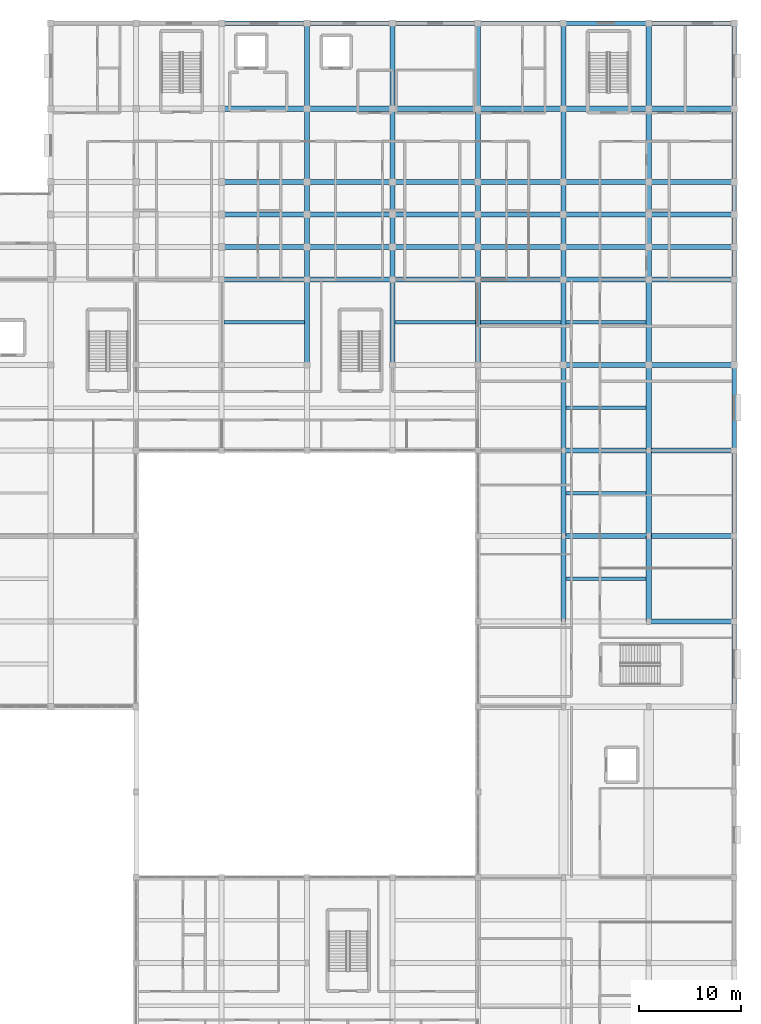
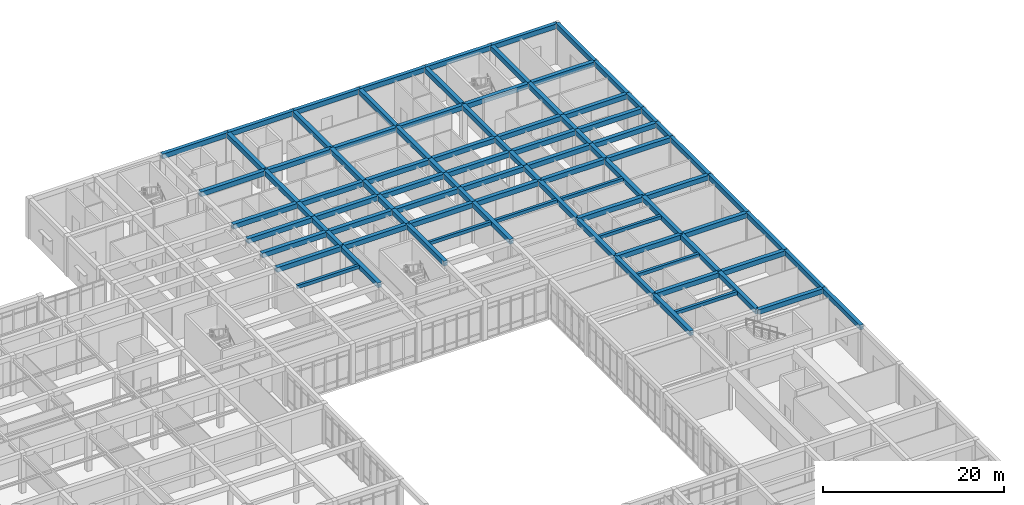
# One storey, part 38 of 89: 96 beams.
"""IFC4 building model written with IfcOpenShell, lengths in metres."""

from ifc_helpers import new_model, si_unit, direction, frame, origin, origin_2d, place, context, subcontext, project, spatial, rectangle, extrude, material, material_profile, profile_set, type_object, element, save


model = new_model("IFC4")

# Units and contexts
model_context = context("Model", 3, precision=1e-05, world=origin(), true_north=direction((0.0, 1.0)))
body_context = subcontext(model_context, "Body", "Model", "MODEL_VIEW")
ifc_project = project(units=[si_unit("LENGTHUNIT", "METRE"), si_unit("AREAUNIT", "SQUARE_METRE"), si_unit("VOLUMEUNIT", "CUBIC_METRE"), si_unit("PLANEANGLEUNIT", "RADIAN"), si_unit("MASSUNIT", "GRAM", prefix="KILO")], contexts=[model_context])

# Site, building, storey
site_placement = place(None, origin())
site = spatial("IfcSite", under=ifc_project, at=site_placement, CompositionType="ELEMENT")
building_placement = place(site_placement, origin())
building = spatial("IfcBuilding", under=site, at=building_placement, Name="Varncliffe General Hospital", CompositionType="ELEMENT")
storey_placement = place(building_placement, frame((0.0, 0.0, 10.800048828125)))
storey = spatial("IfcBuildingStorey", under=building, at=storey_placement, Name="L02", CompositionType="ELEMENT", Elevation=10.800048828125)

# Beams
ifc_material = material(Name="Concrete C35/45 (CSA A23.1 35 MPa)", Category="concrete")
ifc_material_profile_1 = material_profile(ifc_material, rectangle(XDim=0.5, YDim=0.64990234375, at=origin_2d()), Name="RC 500x650")
ifc_profile_set_1 = profile_set([ifc_material_profile_1], Name="Concrete C35/45 (CSA A23.1 35 MPa)")
beam_type_1 = type_object("IfcBeamType", Name="Beam B29 (Int RC 500x650)", PredefinedType="BEAM", material=ifc_profile_set_1)
for number, where, z_axis, x_axis, name in (
    (1, (168.0, 66.0, 5.074951171875), (1.0, 0.0, 0.0), (0.0, 1.0, 0.0), "L02 Primary Beam B29-79"),
    (2, (159.60009765625, 74.39990234375, 5.074951171875), (1.0, 0.0, 0.0), (0.0, 1.0, 0.0), "L02 Primary Beam B29-91"),
    (3, (168.0, 74.39990234375, 5.074951171875), (1.0, 0.0, 0.0), (0.0, 1.0, 0.0), "L02 Primary Beam B29-92"),
    (4, (159.60009765625, 82.800048828125, 5.074951171875), (1.0, 0.0, 0.0), (0.0, 1.0, 0.0), "L02 Primary Beam B29-112"),
    (5, (168.0, 82.800048828125, 5.074951171875), (1.0, 0.0, 0.0), (0.0, 1.0, 0.0), "L02 Primary Beam B29-113"),
    (6, (159.60009765625, 91.199951171875, 5.074951171875), (1.0, 0.0, 0.0), (0.0, 1.0, 0.0), "L02 Primary Beam B29-129"),
    (7, (168.0, 91.199951171875, 5.074951171875), (1.0, 0.0, 0.0), (0.0, 1.0, 0.0), "L02 Primary Beam B29-130"),
    (8, (126.0, 99.60009765625, 5.074951171875), (1.0, 0.0, 0.0), (0.0, 1.0, 0.0), "L02 Primary Beam B29-146"),
):
    element("IfcBeam", number, at=place(storey_placement, frame(where, z_axis=z_axis, x_axis=x_axis)), inside=storey, type_object=beam_type_1, Name=name, PredefinedType="BEAM", context=body_context, shape_type="SweptSolid", body=[
        extrude(rectangle(XDim=0.5, YDim=0.64990234375, at=origin_2d()), origin(), (0.0, 0.0, 1.0), 8.39990234375),
    ])
beam_1_placement = place(storey_placement, frame((134.39990234375, 99.60009765625, 5.074951171875), z_axis=(1.0, 0.0, 0.0), x_axis=(0.0, 1.0, 0.0)))
element("IfcBeam", 9, at=beam_1_placement, inside=storey, type_object=beam_type_1, Name="L02 Primary Beam B29-147", PredefinedType="BEAM", context=body_context, shape_type="SweptSolid", body=[
    extrude(rectangle(XDim=0.5, YDim=0.64990234375, at=origin_2d()), origin(), (0.0, 0.0, 1.0), 8.400146484375),
])
beam_2_placement = place(storey_placement, frame((142.800048828125, 99.60009765625, 5.074951171875), z_axis=(1.0, 0.0, 0.0), x_axis=(0.0, 1.0, 0.0)))
element("IfcBeam", 10, at=beam_2_placement, inside=storey, type_object=beam_type_1, Name="L02 Primary Beam B29-148", PredefinedType="BEAM", context=body_context, shape_type="SweptSolid", body=[
    extrude(rectangle(XDim=0.5, YDim=0.64990234375, at=origin_2d()), origin(), (0.0, 0.0, 1.0), 8.39990234375),
])
beam_3_placement = place(storey_placement, frame((151.199951171875, 99.60009765625, 5.074951171875), z_axis=(1.0, 0.0, 0.0), x_axis=(0.0, 1.0, 0.0)))
element("IfcBeam", 11, at=beam_3_placement, inside=storey, type_object=beam_type_1, Name="L02 Primary Beam B29-149", PredefinedType="BEAM", context=body_context, shape_type="SweptSolid", body=[
    extrude(rectangle(XDim=0.5, YDim=0.64990234375, at=origin_2d()), origin(), (0.0, 0.0, 1.0), 8.400146484375),
])
for number, where, z_axis, x_axis, name in (
    (12, (159.60009765625, 99.60009765625, 5.074951171875), (1.0, 0.0, 0.0), (0.0, 1.0, 0.0), "L02 Primary Beam B29-150"),
    (13, (168.0, 99.60009765625, 5.074951171875), (1.0, 0.0, 0.0), (0.0, 1.0, 0.0), "L02 Primary Beam B29-151"),
    (14, (126.0, 102.800048828125, 5.074951171875), (1.0, 0.0, 0.0), (0.0, 1.0, 0.0), "L02 Primary Beam B29-167"),
):
    element("IfcBeam", number, at=place(storey_placement, frame(where, z_axis=z_axis, x_axis=x_axis)), inside=storey, type_object=beam_type_1, Name=name, PredefinedType="BEAM", context=body_context, shape_type="SweptSolid", body=[
        extrude(rectangle(XDim=0.5, YDim=0.64990234375, at=origin_2d()), origin(), (0.0, 0.0, 1.0), 8.39990234375),
    ])
beam_4_placement = place(storey_placement, frame((134.39990234375, 102.800048828125, 5.074951171875), z_axis=(1.0, 0.0, 0.0), x_axis=(0.0, 1.0, 0.0)))
element("IfcBeam", 15, at=beam_4_placement, inside=storey, type_object=beam_type_1, Name="L02 Primary Beam B29-168", PredefinedType="BEAM", context=body_context, shape_type="SweptSolid", body=[
    extrude(rectangle(XDim=0.5, YDim=0.64990234375, at=origin_2d()), origin(), (0.0, 0.0, 1.0), 8.400146484375),
])
beam_5_placement = place(storey_placement, frame((142.800048828125, 102.800048828125, 5.074951171875), z_axis=(1.0, 0.0, 0.0), x_axis=(0.0, 1.0, 0.0)))
element("IfcBeam", 16, at=beam_5_placement, inside=storey, type_object=beam_type_1, Name="L02 Primary Beam B29-169", PredefinedType="BEAM", context=body_context, shape_type="SweptSolid", body=[
    extrude(rectangle(XDim=0.5, YDim=0.64990234375, at=origin_2d()), origin(), (0.0, 0.0, 1.0), 8.39990234375),
])
beam_6_placement = place(storey_placement, frame((151.199951171875, 102.800048828125, 5.074951171875), z_axis=(1.0, 0.0, 0.0), x_axis=(0.0, 1.0, 0.0)))
element("IfcBeam", 17, at=beam_6_placement, inside=storey, type_object=beam_type_1, Name="L02 Primary Beam B29-170", PredefinedType="BEAM", context=body_context, shape_type="SweptSolid", body=[
    extrude(rectangle(XDim=0.5, YDim=0.64990234375, at=origin_2d()), origin(), (0.0, 0.0, 1.0), 8.400146484375),
])
for number, where, z_axis, x_axis, name in (
    (18, (159.60009765625, 102.800048828125, 5.074951171875), (1.0, 0.0, 0.0), (0.0, 1.0, 0.0), "L02 Primary Beam B29-171"),
    (19, (168.0, 102.800048828125, 5.074951171875), (1.0, 0.0, 0.0), (0.0, 1.0, 0.0), "L02 Primary Beam B29-172"),
    (20, (126.0, 106.0, 5.074951171875), (1.0, 0.0, 0.0), (0.0, 1.0, 0.0), "L02 Primary Beam B29-183"),
):
    element("IfcBeam", number, at=place(storey_placement, frame(where, z_axis=z_axis, x_axis=x_axis)), inside=storey, type_object=beam_type_1, Name=name, PredefinedType="BEAM", context=body_context, shape_type="SweptSolid", body=[
        extrude(rectangle(XDim=0.5, YDim=0.64990234375, at=origin_2d()), origin(), (0.0, 0.0, 1.0), 8.39990234375),
    ])
beam_7_placement = place(storey_placement, frame((134.39990234375, 106.0, 5.074951171875), z_axis=(1.0, 0.0, 0.0), x_axis=(0.0, 1.0, 0.0)))
element("IfcBeam", 21, at=beam_7_placement, inside=storey, type_object=beam_type_1, Name="L02 Primary Beam B29-184", PredefinedType="BEAM", context=body_context, shape_type="SweptSolid", body=[
    extrude(rectangle(XDim=0.5, YDim=0.64990234375, at=origin_2d()), origin(), (0.0, 0.0, 1.0), 8.400146484375),
])
beam_8_placement = place(storey_placement, frame((142.800048828125, 106.0, 5.074951171875), z_axis=(1.0, 0.0, 0.0), x_axis=(0.0, 1.0, 0.0)))
element("IfcBeam", 22, at=beam_8_placement, inside=storey, type_object=beam_type_1, Name="L02 Primary Beam B29-185", PredefinedType="BEAM", context=body_context, shape_type="SweptSolid", body=[
    extrude(rectangle(XDim=0.5, YDim=0.64990234375, at=origin_2d()), origin(), (0.0, 0.0, 1.0), 8.39990234375),
])
beam_9_placement = place(storey_placement, frame((151.199951171875, 106.0, 5.074951171875), z_axis=(1.0, 0.0, 0.0), x_axis=(0.0, 1.0, 0.0)))
element("IfcBeam", 23, at=beam_9_placement, inside=storey, type_object=beam_type_1, Name="L02 Primary Beam B29-186", PredefinedType="BEAM", context=body_context, shape_type="SweptSolid", body=[
    extrude(rectangle(XDim=0.5, YDim=0.64990234375, at=origin_2d()), origin(), (0.0, 0.0, 1.0), 8.400146484375),
])
for number, where, z_axis, x_axis, name in (
    (24, (159.60009765625, 106.0, 5.074951171875), (1.0, 0.0, 0.0), (0.0, 1.0, 0.0), "L02 Primary Beam B29-187"),
    (25, (168.0, 106.0, 5.074951171875), (1.0, 0.0, 0.0), (0.0, 1.0, 0.0), "L02 Primary Beam B29-188"),
    (26, (126.0, 109.199951171875, 5.074951171875), (1.0, 0.0, 0.0), (0.0, 1.0, 0.0), "L02 Primary Beam B29-202"),
):
    element("IfcBeam", number, at=place(storey_placement, frame(where, z_axis=z_axis, x_axis=x_axis)), inside=storey, type_object=beam_type_1, Name=name, PredefinedType="BEAM", context=body_context, shape_type="SweptSolid", body=[
        extrude(rectangle(XDim=0.5, YDim=0.64990234375, at=origin_2d()), origin(), (0.0, 0.0, 1.0), 8.39990234375),
    ])
beam_10_placement = place(storey_placement, frame((134.39990234375, 109.199951171875, 5.074951171875), z_axis=(1.0, 0.0, 0.0), x_axis=(0.0, 1.0, 0.0)))
element("IfcBeam", 27, at=beam_10_placement, inside=storey, type_object=beam_type_1, Name="L02 Primary Beam B29-203", PredefinedType="BEAM", context=body_context, shape_type="SweptSolid", body=[
    extrude(rectangle(XDim=0.5, YDim=0.64990234375, at=origin_2d()), origin(), (0.0, 0.0, 1.0), 8.400146484375),
])
beam_11_placement = place(storey_placement, frame((142.800048828125, 109.199951171875, 5.074951171875), z_axis=(1.0, 0.0, 0.0), x_axis=(0.0, 1.0, 0.0)))
element("IfcBeam", 28, at=beam_11_placement, inside=storey, type_object=beam_type_1, Name="L02 Primary Beam B29-204", PredefinedType="BEAM", context=body_context, shape_type="SweptSolid", body=[
    extrude(rectangle(XDim=0.5, YDim=0.64990234375, at=origin_2d()), origin(), (0.0, 0.0, 1.0), 8.39990234375),
])
beam_12_placement = place(storey_placement, frame((151.199951171875, 109.199951171875, 5.074951171875), z_axis=(1.0, 0.0, 0.0), x_axis=(0.0, 1.0, 0.0)))
element("IfcBeam", 29, at=beam_12_placement, inside=storey, type_object=beam_type_1, Name="L02 Primary Beam B29-205", PredefinedType="BEAM", context=body_context, shape_type="SweptSolid", body=[
    extrude(rectangle(XDim=0.5, YDim=0.64990234375, at=origin_2d()), origin(), (0.0, 0.0, 1.0), 8.400146484375),
])
for number, where, z_axis, x_axis, name in (
    (30, (159.60009765625, 109.199951171875, 5.074951171875), (1.0, 0.0, 0.0), (0.0, 1.0, 0.0), "L02 Primary Beam B29-206"),
    (31, (168.0, 109.199951171875, 5.074951171875), (1.0, 0.0, 0.0), (0.0, 1.0, 0.0), "L02 Primary Beam B29-207"),
    (32, (126.0, 116.39990234375, 5.074951171875), (1.0, 0.0, 0.0), (0.0, 1.0, 0.0), "L02 Primary Beam B29-218"),
):
    element("IfcBeam", number, at=place(storey_placement, frame(where, z_axis=z_axis, x_axis=x_axis)), inside=storey, type_object=beam_type_1, Name=name, PredefinedType="BEAM", context=body_context, shape_type="SweptSolid", body=[
        extrude(rectangle(XDim=0.5, YDim=0.64990234375, at=origin_2d()), origin(), (0.0, 0.0, 1.0), 8.39990234375),
    ])
beam_13_placement = place(storey_placement, frame((134.39990234375, 116.39990234375, 5.074951171875), z_axis=(1.0, 0.0, 0.0), x_axis=(0.0, 1.0, 0.0)))
element("IfcBeam", 33, at=beam_13_placement, inside=storey, type_object=beam_type_1, Name="L02 Primary Beam B29-219", PredefinedType="BEAM", context=body_context, shape_type="SweptSolid", body=[
    extrude(rectangle(XDim=0.5, YDim=0.64990234375, at=origin_2d()), origin(), (0.0, 0.0, 1.0), 8.400146484375),
])
beam_14_placement = place(storey_placement, frame((142.800048828125, 116.39990234375, 5.074951171875), z_axis=(1.0, 0.0, 0.0), x_axis=(0.0, 1.0, 0.0)))
element("IfcBeam", 34, at=beam_14_placement, inside=storey, type_object=beam_type_1, Name="L02 Primary Beam B29-220", PredefinedType="BEAM", context=body_context, shape_type="SweptSolid", body=[
    extrude(rectangle(XDim=0.5, YDim=0.64990234375, at=origin_2d()), origin(), (0.0, 0.0, 1.0), 8.39990234375),
])
beam_15_placement = place(storey_placement, frame((151.199951171875, 116.39990234375, 5.074951171875), z_axis=(1.0, 0.0, 0.0), x_axis=(0.0, 1.0, 0.0)))
element("IfcBeam", 35, at=beam_15_placement, inside=storey, type_object=beam_type_1, Name="L02 Primary Beam B29-221", PredefinedType="BEAM", context=body_context, shape_type="SweptSolid", body=[
    extrude(rectangle(XDim=0.5, YDim=0.64990234375, at=origin_2d()), origin(), (0.0, 0.0, 1.0), 8.400146484375),
])
for number, where, z_axis, x_axis, name in (
    (36, (159.60009765625, 116.39990234375, 5.074951171875), (1.0, 0.0, 0.0), (0.0, 1.0, 0.0), "L02 Primary Beam B29-222"),
    (37, (168.0, 116.39990234375, 5.074951171875), (1.0, 0.0, 0.0), (0.0, 1.0, 0.0), "L02 Primary Beam B29-223"),
):
    element("IfcBeam", number, at=place(storey_placement, frame(where, z_axis=z_axis, x_axis=x_axis)), inside=storey, type_object=beam_type_1, Name=name, PredefinedType="BEAM", context=body_context, shape_type="SweptSolid", body=[
        extrude(rectangle(XDim=0.5, YDim=0.64990234375, at=origin_2d()), origin(), (0.0, 0.0, 1.0), 8.39990234375),
    ])
beam_16_placement = place(storey_placement, frame((134.39990234375, 91.199951171875, 5.074951171875), z_axis=(0.0, 1.0, 0.0), x_axis=(-1.0, 0.0, 0.0)))
element("IfcBeam", 38, at=beam_16_placement, inside=storey, type_object=beam_type_1, Name="L02 Primary Beam B29-414", PredefinedType="BEAM", context=body_context, shape_type="SweptSolid", body=[
    extrude(rectangle(XDim=0.5, YDim=0.64990234375, at=origin_2d()), origin(), (0.0, 0.0, 1.0), 8.400146484375),
])
for number, where, z_axis, x_axis, name in (
    (39, (134.39990234375, 99.60009765625, 5.074951171875), (0.0, 1.0, 0.0), (-1.0, 0.0, 0.0), "L02 Primary Beam B29-415"),
    (40, (134.39990234375, 102.800048828125, 5.074951171875), (0.0, 1.0, 0.0), (-1.0, 0.0, 0.0), "L02 Primary Beam B29-416"),
    (41, (134.39990234375, 106.0, 5.074951171875), (0.0, 1.0, 0.0), (-1.0, 0.0, 0.0), "L02 Primary Beam B29-417"),
):
    element("IfcBeam", number, at=place(storey_placement, frame(where, z_axis=z_axis, x_axis=x_axis)), inside=storey, type_object=beam_type_1, Name=name, PredefinedType="BEAM", context=body_context, shape_type="SweptSolid", body=[
        extrude(rectangle(XDim=0.5, YDim=0.64990234375, at=origin_2d()), origin(), (0.0, 0.0, 1.0), 3.199951171875),
    ])
beam_17_placement = place(storey_placement, frame((134.39990234375, 109.199951171875, 5.074951171875), z_axis=(0.0, 1.0, 0.0), x_axis=(-1.0, 0.0, 0.0)))
element("IfcBeam", 42, at=beam_17_placement, inside=storey, type_object=beam_type_1, Name="L02 Primary Beam B29-418", PredefinedType="BEAM", context=body_context, shape_type="SweptSolid", body=[
    extrude(rectangle(XDim=0.5, YDim=0.64990234375, at=origin_2d()), origin(), (0.0, 0.0, 1.0), 7.199951171875),
])
for number, where, z_axis, x_axis, name in (
    (43, (134.39990234375, 116.39990234375, 5.074951171875), (0.0, 1.0, 0.0), (-1.0, 0.0, 0.0), "L02 Primary Beam B29-419"),
    (44, (142.800048828125, 91.199951171875, 5.074951171875), (0.0, 1.0, 0.0), (-1.0, 0.0, 0.0), "L02 Primary Beam B29-423"),
):
    element("IfcBeam", number, at=place(storey_placement, frame(where, z_axis=z_axis, x_axis=x_axis)), inside=storey, type_object=beam_type_1, Name=name, PredefinedType="BEAM", context=body_context, shape_type="SweptSolid", body=[
        extrude(rectangle(XDim=0.5, YDim=0.64990234375, at=origin_2d()), origin(), (0.0, 0.0, 1.0), 8.400146484375),
    ])
for number, where, z_axis, x_axis, name in (
    (45, (142.800048828125, 99.60009765625, 5.074951171875), (0.0, 1.0, 0.0), (-1.0, 0.0, 0.0), "L02 Primary Beam B29-424"),
    (46, (142.800048828125, 102.800048828125, 5.074951171875), (0.0, 1.0, 0.0), (-1.0, 0.0, 0.0), "L02 Primary Beam B29-425"),
    (47, (142.800048828125, 106.0, 5.074951171875), (0.0, 1.0, 0.0), (-1.0, 0.0, 0.0), "L02 Primary Beam B29-426"),
):
    element("IfcBeam", number, at=place(storey_placement, frame(where, z_axis=z_axis, x_axis=x_axis)), inside=storey, type_object=beam_type_1, Name=name, PredefinedType="BEAM", context=body_context, shape_type="SweptSolid", body=[
        extrude(rectangle(XDim=0.5, YDim=0.64990234375, at=origin_2d()), origin(), (0.0, 0.0, 1.0), 3.199951171875),
    ])
beam_18_placement = place(storey_placement, frame((142.800048828125, 109.199951171875, 5.074951171875), z_axis=(0.0, 1.0, 0.0), x_axis=(-1.0, 0.0, 0.0)))
element("IfcBeam", 48, at=beam_18_placement, inside=storey, type_object=beam_type_1, Name="L02 Primary Beam B29-427", PredefinedType="BEAM", context=body_context, shape_type="SweptSolid", body=[
    extrude(rectangle(XDim=0.5, YDim=0.64990234375, at=origin_2d()), origin(), (0.0, 0.0, 1.0), 7.199951171875),
])
for number, where, z_axis, x_axis, name in (
    (49, (142.800048828125, 116.39990234375, 5.074951171875), (0.0, 1.0, 0.0), (-1.0, 0.0, 0.0), "L02 Primary Beam B29-428"),
    (50, (151.199951171875, 91.199951171875, 5.074951171875), (0.0, 1.0, 0.0), (-1.0, 0.0, 0.0), "L02 Primary Beam B29-440"),
):
    element("IfcBeam", number, at=place(storey_placement, frame(where, z_axis=z_axis, x_axis=x_axis)), inside=storey, type_object=beam_type_1, Name=name, PredefinedType="BEAM", context=body_context, shape_type="SweptSolid", body=[
        extrude(rectangle(XDim=0.5, YDim=0.64990234375, at=origin_2d()), origin(), (0.0, 0.0, 1.0), 8.400146484375),
    ])
for number, where, z_axis, x_axis, name in (
    (51, (151.199951171875, 99.60009765625, 5.074951171875), (0.0, 1.0, 0.0), (-1.0, 0.0, 0.0), "L02 Primary Beam B29-441"),
    (52, (151.199951171875, 102.800048828125, 5.074951171875), (0.0, 1.0, 0.0), (-1.0, 0.0, 0.0), "L02 Primary Beam B29-442"),
    (53, (151.199951171875, 106.0, 5.074951171875), (0.0, 1.0, 0.0), (-1.0, 0.0, 0.0), "L02 Primary Beam B29-443"),
):
    element("IfcBeam", number, at=place(storey_placement, frame(where, z_axis=z_axis, x_axis=x_axis)), inside=storey, type_object=beam_type_1, Name=name, PredefinedType="BEAM", context=body_context, shape_type="SweptSolid", body=[
        extrude(rectangle(XDim=0.5, YDim=0.64990234375, at=origin_2d()), origin(), (0.0, 0.0, 1.0), 3.199951171875),
    ])
beam_19_placement = place(storey_placement, frame((151.199951171875, 109.199951171875, 5.074951171875), z_axis=(0.0, 1.0, 0.0), x_axis=(-1.0, 0.0, 0.0)))
element("IfcBeam", 54, at=beam_19_placement, inside=storey, type_object=beam_type_1, Name="L02 Primary Beam B29-444", PredefinedType="BEAM", context=body_context, shape_type="SweptSolid", body=[
    extrude(rectangle(XDim=0.5, YDim=0.64990234375, at=origin_2d()), origin(), (0.0, 0.0, 1.0), 7.199951171875),
])
beam_20_placement = place(storey_placement, frame((151.199951171875, 116.39990234375, 5.074951171875), z_axis=(0.0, 1.0, 0.0), x_axis=(-1.0, 0.0, 0.0)))
element("IfcBeam", 55, at=beam_20_placement, inside=storey, type_object=beam_type_1, Name="L02 Primary Beam B29-445", PredefinedType="BEAM", context=body_context, shape_type="SweptSolid", body=[
    extrude(rectangle(XDim=0.5, YDim=0.64990234375, at=origin_2d()), origin(), (0.0, 0.0, 1.0), 8.400146484375),
])
beam_21_placement = place(storey_placement, frame((159.60009765625, 66.0, 5.074951171875), z_axis=(0.0, 1.0, 0.0), x_axis=(-1.0, 0.0, 0.0)))
element("IfcBeam", 56, at=beam_21_placement, inside=storey, type_object=beam_type_1, Name="L02 Primary Beam B29-453", PredefinedType="BEAM", context=body_context, shape_type="SweptSolid", body=[
    extrude(rectangle(XDim=0.5, YDim=0.64990234375, at=origin_2d()), origin(), (0.0, 0.0, 1.0), 8.39990234375),
])
beam_22_placement = place(storey_placement, frame((159.60009765625, 74.39990234375, 5.074951171875), z_axis=(0.0, 1.0, 0.0), x_axis=(-1.0, 0.0, 0.0)))
element("IfcBeam", 57, at=beam_22_placement, inside=storey, type_object=beam_type_1, Name="L02 Primary Beam B29-454", PredefinedType="BEAM", context=body_context, shape_type="SweptSolid", body=[
    extrude(rectangle(XDim=0.5, YDim=0.64990234375, at=origin_2d()), origin(), (0.0, 0.0, 1.0), 8.400146484375),
])
beam_23_placement = place(storey_placement, frame((159.60009765625, 82.800048828125, 5.074951171875), z_axis=(0.0, 1.0, 0.0), x_axis=(-1.0, 0.0, 0.0)))
element("IfcBeam", 58, at=beam_23_placement, inside=storey, type_object=beam_type_1, Name="L02 Primary Beam B29-455", PredefinedType="BEAM", context=body_context, shape_type="SweptSolid", body=[
    extrude(rectangle(XDim=0.5, YDim=0.64990234375, at=origin_2d()), origin(), (0.0, 0.0, 1.0), 8.39990234375),
])
beam_24_placement = place(storey_placement, frame((159.60009765625, 91.199951171875, 5.074951171875), z_axis=(0.0, 1.0, 0.0), x_axis=(-1.0, 0.0, 0.0)))
element("IfcBeam", 59, at=beam_24_placement, inside=storey, type_object=beam_type_1, Name="L02 Primary Beam B29-456", PredefinedType="BEAM", context=body_context, shape_type="SweptSolid", body=[
    extrude(rectangle(XDim=0.5, YDim=0.64990234375, at=origin_2d()), origin(), (0.0, 0.0, 1.0), 8.400146484375),
])
for number, where, z_axis, x_axis, name in (
    (60, (159.60009765625, 99.60009765625, 5.074951171875), (0.0, 1.0, 0.0), (-1.0, 0.0, 0.0), "L02 Primary Beam B29-457"),
    (61, (159.60009765625, 102.800048828125, 5.074951171875), (0.0, 1.0, 0.0), (-1.0, 0.0, 0.0), "L02 Primary Beam B29-458"),
    (62, (159.60009765625, 106.0, 5.074951171875), (0.0, 1.0, 0.0), (-1.0, 0.0, 0.0), "L02 Primary Beam B29-459"),
):
    element("IfcBeam", number, at=place(storey_placement, frame(where, z_axis=z_axis, x_axis=x_axis)), inside=storey, type_object=beam_type_1, Name=name, PredefinedType="BEAM", context=body_context, shape_type="SweptSolid", body=[
        extrude(rectangle(XDim=0.5, YDim=0.64990234375, at=origin_2d()), origin(), (0.0, 0.0, 1.0), 3.199951171875),
    ])
beam_25_placement = place(storey_placement, frame((159.60009765625, 109.199951171875, 5.074951171875), z_axis=(0.0, 1.0, 0.0), x_axis=(-1.0, 0.0, 0.0)))
element("IfcBeam", 63, at=beam_25_placement, inside=storey, type_object=beam_type_1, Name="L02 Primary Beam B29-460", PredefinedType="BEAM", context=body_context, shape_type="SweptSolid", body=[
    extrude(rectangle(XDim=0.5, YDim=0.64990234375, at=origin_2d()), origin(), (0.0, 0.0, 1.0), 7.199951171875),
])
beam_26_placement = place(storey_placement, frame((159.60009765625, 116.39990234375, 5.074951171875), z_axis=(0.0, 1.0, 0.0), x_axis=(-1.0, 0.0, 0.0)))
element("IfcBeam", 64, at=beam_26_placement, inside=storey, type_object=beam_type_1, Name="L02 Primary Beam B29-461", PredefinedType="BEAM", context=body_context, shape_type="SweptSolid", body=[
    extrude(rectangle(XDim=0.5, YDim=0.64990234375, at=origin_2d()), origin(), (0.0, 0.0, 1.0), 8.400146484375),
])
beam_27_placement = place(storey_placement, frame((168.0, 66.0, 5.074951171875), z_axis=(0.0, 1.0, 0.0), x_axis=(-1.0, 0.0, 0.0)))
element("IfcBeam", 65, at=beam_27_placement, inside=storey, type_object=beam_type_1, Name="L02 Primary Beam B29-467", PredefinedType="BEAM", context=body_context, shape_type="SweptSolid", body=[
    extrude(rectangle(XDim=0.5, YDim=0.64990234375, at=origin_2d()), origin(), (0.0, 0.0, 1.0), 8.39990234375),
])
beam_28_placement = place(storey_placement, frame((168.0, 74.39990234375, 5.074951171875), z_axis=(0.0, 1.0, 0.0), x_axis=(-1.0, 0.0, 0.0)))
element("IfcBeam", 66, at=beam_28_placement, inside=storey, type_object=beam_type_1, Name="L02 Primary Beam B29-468", PredefinedType="BEAM", context=body_context, shape_type="SweptSolid", body=[
    extrude(rectangle(XDim=0.5, YDim=0.64990234375, at=origin_2d()), origin(), (0.0, 0.0, 1.0), 8.400146484375),
])
beam_29_placement = place(storey_placement, frame((168.0, 82.800048828125, 5.074951171875), z_axis=(0.0, 1.0, 0.0), x_axis=(-1.0, 0.0, 0.0)))
element("IfcBeam", 67, at=beam_29_placement, inside=storey, type_object=beam_type_1, Name="L02 Primary Beam B29-469", PredefinedType="BEAM", context=body_context, shape_type="SweptSolid", body=[
    extrude(rectangle(XDim=0.5, YDim=0.64990234375, at=origin_2d()), origin(), (0.0, 0.0, 1.0), 8.39990234375),
])
beam_30_placement = place(storey_placement, frame((168.0, 91.199951171875, 5.074951171875), z_axis=(0.0, 1.0, 0.0), x_axis=(-1.0, 0.0, 0.0)))
element("IfcBeam", 68, at=beam_30_placement, inside=storey, type_object=beam_type_1, Name="L02 Primary Beam B29-470", PredefinedType="BEAM", context=body_context, shape_type="SweptSolid", body=[
    extrude(rectangle(XDim=0.5, YDim=0.64990234375, at=origin_2d()), origin(), (0.0, 0.0, 1.0), 8.400146484375),
])
for number, where, z_axis, x_axis, name in (
    (69, (168.0, 99.60009765625, 5.074951171875), (0.0, 1.0, 0.0), (-1.0, 0.0, 0.0), "L02 Primary Beam B29-471"),
    (70, (168.0, 102.800048828125, 5.074951171875), (0.0, 1.0, 0.0), (-1.0, 0.0, 0.0), "L02 Primary Beam B29-472"),
    (71, (168.0, 106.0, 5.074951171875), (0.0, 1.0, 0.0), (-1.0, 0.0, 0.0), "L02 Primary Beam B29-473"),
):
    element("IfcBeam", number, at=place(storey_placement, frame(where, z_axis=z_axis, x_axis=x_axis)), inside=storey, type_object=beam_type_1, Name=name, PredefinedType="BEAM", context=body_context, shape_type="SweptSolid", body=[
        extrude(rectangle(XDim=0.5, YDim=0.64990234375, at=origin_2d()), origin(), (0.0, 0.0, 1.0), 3.199951171875),
    ])
beam_31_placement = place(storey_placement, frame((168.0, 109.199951171875, 5.074951171875), z_axis=(0.0, 1.0, 0.0), x_axis=(-1.0, 0.0, 0.0)))
element("IfcBeam", 72, at=beam_31_placement, inside=storey, type_object=beam_type_1, Name="L02 Primary Beam B29-474", PredefinedType="BEAM", context=body_context, shape_type="SweptSolid", body=[
    extrude(rectangle(XDim=0.5, YDim=0.64990234375, at=origin_2d()), origin(), (0.0, 0.0, 1.0), 7.199951171875),
])
beam_32_placement = place(storey_placement, frame((168.0, 116.39990234375, 5.074951171875), z_axis=(0.0, 1.0, 0.0), x_axis=(-1.0, 0.0, 0.0)))
element("IfcBeam", 73, at=beam_32_placement, inside=storey, type_object=beam_type_1, Name="L02 Primary Beam B29-475", PredefinedType="BEAM", context=body_context, shape_type="SweptSolid", body=[
    extrude(rectangle(XDim=0.5, YDim=0.64990234375, at=origin_2d()), origin(), (0.0, 0.0, 1.0), 8.400146484375),
])
ifc_material_profile_2 = material_profile(ifc_material, rectangle(XDim=0.35009765625, YDim=0.449951171875, at=origin_2d()), Name="RC 350x450")
ifc_profile_set_2 = profile_set([ifc_material_profile_2], Name="Concrete C35/45 (CSA A23.1 35 MPa)")
beam_type_2 = type_object("IfcBeamType", Name="Joist J55 (Int RC 350x450)", PredefinedType="JOIST", material=ifc_profile_set_2)
beam_33_placement = place(storey_placement, frame((126.248046875, 95.39990234375, 5.175048828125), z_axis=(1.0, 0.0, 0.0), x_axis=(0.0, 1.0, 0.0)))
element("IfcBeam", 74, at=beam_33_placement, inside=storey, type_object=beam_type_2, Name="L02 Secondary Floor Rib J55-52", PredefinedType="JOIST", context=body_context, shape_type="SweptSolid", body=[
    extrude(rectangle(XDim=0.35009765625, YDim=0.449951171875, at=origin_2d()), origin(), (0.0, 0.0, 1.0), 7.904052734375),
])
beam_34_placement = place(storey_placement, frame((143.048095703125, 95.39990234375, 5.175048828125), z_axis=(1.0, 0.0, 0.0), x_axis=(0.0, 1.0, 0.0)))
element("IfcBeam", 75, at=beam_34_placement, inside=storey, type_object=beam_type_2, Name="L02 Secondary Floor Rib J55-58", PredefinedType="JOIST", context=body_context, shape_type="SweptSolid", body=[
    extrude(rectangle(XDim=0.35009765625, YDim=0.449951171875, at=origin_2d()), origin(), (0.0, 0.0, 1.0), 7.90380859375),
])
for number, where, z_axis, x_axis, name in (
    (76, (151.447998046875, 95.39990234375, 5.175048828125), (1.0, 0.0, 0.0), (0.0, 1.0, 0.0), "L02 Secondary Floor Rib J55-62"),
    (77, (159.847900390625, 70.199951171875, 5.175048828125), (1.0, 0.0, 0.0), (0.0, 1.0, 0.0), "L02 Secondary Floor Rib J55-66"),
    (78, (159.847900390625, 78.60009765625, 5.175048828125), (1.0, 0.0, 0.0), (0.0, 1.0, 0.0), "L02 Secondary Floor Rib J55-67"),
    (79, (159.847900390625, 87.0, 5.175048828125), (1.0, 0.0, 0.0), (0.0, 1.0, 0.0), "L02 Secondary Floor Rib J55-68"),
    (80, (159.847900390625, 95.39990234375, 5.175048828125), (1.0, 0.0, 0.0), (0.0, 1.0, 0.0), "L02 Secondary Floor Rib J55-69"),
):
    element("IfcBeam", number, at=place(storey_placement, frame(where, z_axis=z_axis, x_axis=x_axis)), inside=storey, type_object=beam_type_2, Name=name, PredefinedType="JOIST", context=body_context, shape_type="SweptSolid", body=[
        extrude(rectangle(XDim=0.35009765625, YDim=0.449951171875, at=origin_2d()), origin(), (0.0, 0.0, 1.0), 7.904052734375),
    ])
ifc_material_profile_3 = material_profile(ifc_material, rectangle(XDim=0.449951171875, YDim=0.64990234375, at=origin_2d()), Name="RC 450x650")
ifc_profile_set_3 = profile_set([ifc_material_profile_3], Name="Concrete C35/45 (CSA A23.1 35 MPa)")
beam_type_3 = type_object("IfcBeamType", Name="Spandrel SP38 (Ext RC 450x650B)", PredefinedType="SPANDREL", material=ifc_profile_set_3)
beam_35_placement = place(storey_placement, frame((126.0, 124.800048828125, 5.074951171875), z_axis=(1.0, 0.0, 0.0), x_axis=(0.0, 1.0, 0.0)))
element("IfcBeam", 81, at=beam_35_placement, inside=storey, type_object=beam_type_3, Name="L02 Spandrel Beam SP38-234", PredefinedType="SPANDREL", context=body_context, shape_type="SweptSolid", body=[
    extrude(rectangle(XDim=0.449951171875, YDim=0.64990234375, at=origin_2d()), origin(), (0.0, 0.0, 1.0), 8.39990234375),
])
beam_36_placement = place(storey_placement, frame((134.39990234375, 124.800048828125, 5.074951171875), z_axis=(1.0, 0.0, 0.0), x_axis=(0.0, 1.0, 0.0)))
element("IfcBeam", 82, at=beam_36_placement, inside=storey, type_object=beam_type_3, Name="L02 Spandrel Beam SP38-235", PredefinedType="SPANDREL", context=body_context, shape_type="SweptSolid", body=[
    extrude(rectangle(XDim=0.449951171875, YDim=0.64990234375, at=origin_2d()), origin(), (0.0, 0.0, 1.0), 8.400146484375),
])
beam_37_placement = place(storey_placement, frame((142.800048828125, 124.800048828125, 5.074951171875), z_axis=(1.0, 0.0, 0.0), x_axis=(0.0, 1.0, 0.0)))
element("IfcBeam", 83, at=beam_37_placement, inside=storey, type_object=beam_type_3, Name="L02 Spandrel Beam SP38-236", PredefinedType="SPANDREL", context=body_context, shape_type="SweptSolid", body=[
    extrude(rectangle(XDim=0.449951171875, YDim=0.64990234375, at=origin_2d()), origin(), (0.0, 0.0, 1.0), 8.39990234375),
])
beam_38_placement = place(storey_placement, frame((151.199951171875, 124.800048828125, 5.074951171875), z_axis=(1.0, 0.0, 0.0), x_axis=(0.0, 1.0, 0.0)))
element("IfcBeam", 84, at=beam_38_placement, inside=storey, type_object=beam_type_3, Name="L02 Spandrel Beam SP38-237", PredefinedType="SPANDREL", context=body_context, shape_type="SweptSolid", body=[
    extrude(rectangle(XDim=0.449951171875, YDim=0.64990234375, at=origin_2d()), origin(), (0.0, 0.0, 1.0), 8.400146484375),
])
for number, where, z_axis, x_axis, name in (
    (85, (159.60009765625, 124.800048828125, 5.074951171875), (1.0, 0.0, 0.0), (0.0, 1.0, 0.0), "L02 Spandrel Beam SP38-238"),
    (86, (168.0, 124.800048828125, 5.074951171875), (1.0, 0.0, 0.0), (0.0, 1.0, 0.0), "L02 Spandrel Beam SP38-239"),
    (87, (176.39990234375, 57.60009765625, 5.074951171875), (0.0, 1.0, 0.0), (-1.0, 0.0, 0.0), "L02 Spandrel Beam SP38-483"),
    (88, (176.39990234375, 66.0, 5.074951171875), (0.0, 1.0, 0.0), (-1.0, 0.0, 0.0), "L02 Spandrel Beam SP38-484"),
):
    element("IfcBeam", number, at=place(storey_placement, frame(where, z_axis=z_axis, x_axis=x_axis)), inside=storey, type_object=beam_type_3, Name=name, PredefinedType="SPANDREL", context=body_context, shape_type="SweptSolid", body=[
        extrude(rectangle(XDim=0.449951171875, YDim=0.64990234375, at=origin_2d()), origin(), (0.0, 0.0, 1.0), 8.39990234375),
    ])
beam_39_placement = place(storey_placement, frame((176.39990234375, 74.39990234375, 5.074951171875), z_axis=(0.0, 1.0, 0.0), x_axis=(-1.0, 0.0, 0.0)))
element("IfcBeam", 89, at=beam_39_placement, inside=storey, type_object=beam_type_3, Name="L02 Spandrel Beam SP38-485", PredefinedType="SPANDREL", context=body_context, shape_type="SweptSolid", body=[
    extrude(rectangle(XDim=0.449951171875, YDim=0.64990234375, at=origin_2d()), origin(), (0.0, 0.0, 1.0), 8.400146484375),
])
beam_40_placement = place(storey_placement, frame((176.39990234375, 82.800048828125, 5.074951171875), z_axis=(0.0, 1.0, 0.0), x_axis=(-1.0, 0.0, 0.0)))
element("IfcBeam", 90, at=beam_40_placement, inside=storey, type_object=beam_type_3, Name="L02 Spandrel Beam SP38-486", PredefinedType="SPANDREL", context=body_context, shape_type="SweptSolid", body=[
    extrude(rectangle(XDim=0.449951171875, YDim=0.64990234375, at=origin_2d()), origin(), (0.0, 0.0, 1.0), 8.39990234375),
])
beam_41_placement = place(storey_placement, frame((176.39990234375, 91.199951171875, 5.074951171875), z_axis=(0.0, 1.0, 0.0), x_axis=(-1.0, 0.0, 0.0)))
element("IfcBeam", 91, at=beam_41_placement, inside=storey, type_object=beam_type_3, Name="L02 Spandrel Beam SP38-487", PredefinedType="SPANDREL", context=body_context, shape_type="SweptSolid", body=[
    extrude(rectangle(XDim=0.449951171875, YDim=0.64990234375, at=origin_2d()), origin(), (0.0, 0.0, 1.0), 8.400146484375),
])
for number, where, z_axis, x_axis, name in (
    (92, (176.39990234375, 99.60009765625, 5.074951171875), (0.0, 1.0, 0.0), (-1.0, 0.0, 0.0), "L02 Spandrel Beam SP38-488"),
    (93, (176.39990234375, 102.800048828125, 5.074951171875), (0.0, 1.0, 0.0), (-1.0, 0.0, 0.0), "L02 Spandrel Beam SP38-489"),
    (94, (176.39990234375, 106.0, 5.074951171875), (0.0, 1.0, 0.0), (-1.0, 0.0, 0.0), "L02 Spandrel Beam SP38-490"),
):
    element("IfcBeam", number, at=place(storey_placement, frame(where, z_axis=z_axis, x_axis=x_axis)), inside=storey, type_object=beam_type_3, Name=name, PredefinedType="SPANDREL", context=body_context, shape_type="SweptSolid", body=[
        extrude(rectangle(XDim=0.449951171875, YDim=0.64990234375, at=origin_2d()), origin(), (0.0, 0.0, 1.0), 3.199951171875),
    ])
beam_42_placement = place(storey_placement, frame((176.39990234375, 109.199951171875, 5.074951171875), z_axis=(0.0, 1.0, 0.0), x_axis=(-1.0, 0.0, 0.0)))
element("IfcBeam", 95, at=beam_42_placement, inside=storey, type_object=beam_type_3, Name="L02 Spandrel Beam SP38-491", PredefinedType="SPANDREL", context=body_context, shape_type="SweptSolid", body=[
    extrude(rectangle(XDim=0.449951171875, YDim=0.64990234375, at=origin_2d()), origin(), (0.0, 0.0, 1.0), 7.199951171875),
])
beam_43_placement = place(storey_placement, frame((176.39990234375, 116.39990234375, 5.074951171875), z_axis=(0.0, 1.0, 0.0), x_axis=(-1.0, 0.0, 0.0)))
element("IfcBeam", 96, at=beam_43_placement, inside=storey, type_object=beam_type_3, Name="L02 Spandrel Beam SP38-492", PredefinedType="SPANDREL", context=body_context, shape_type="SweptSolid", body=[
    extrude(rectangle(XDim=0.449951171875, YDim=0.64990234375, at=origin_2d()), origin(), (0.0, 0.0, 1.0), 8.400146484375),
])

save(model, "model.ifc")
